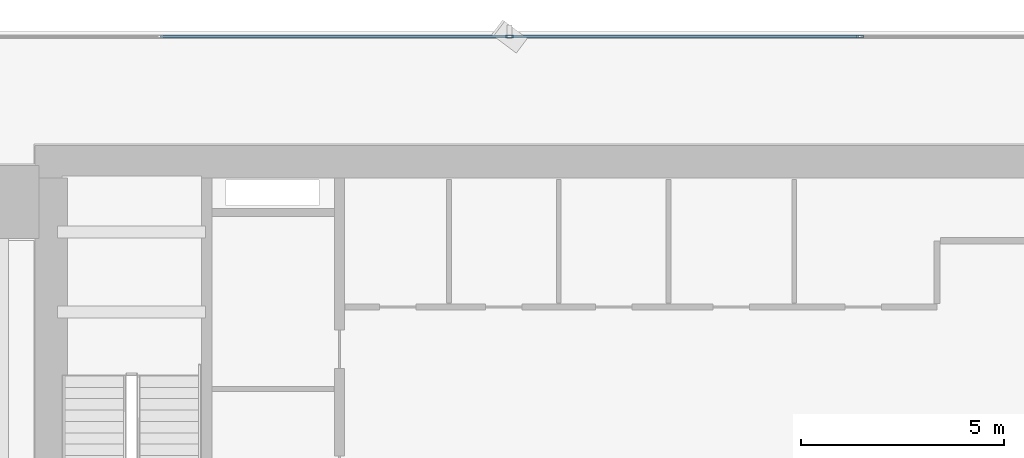
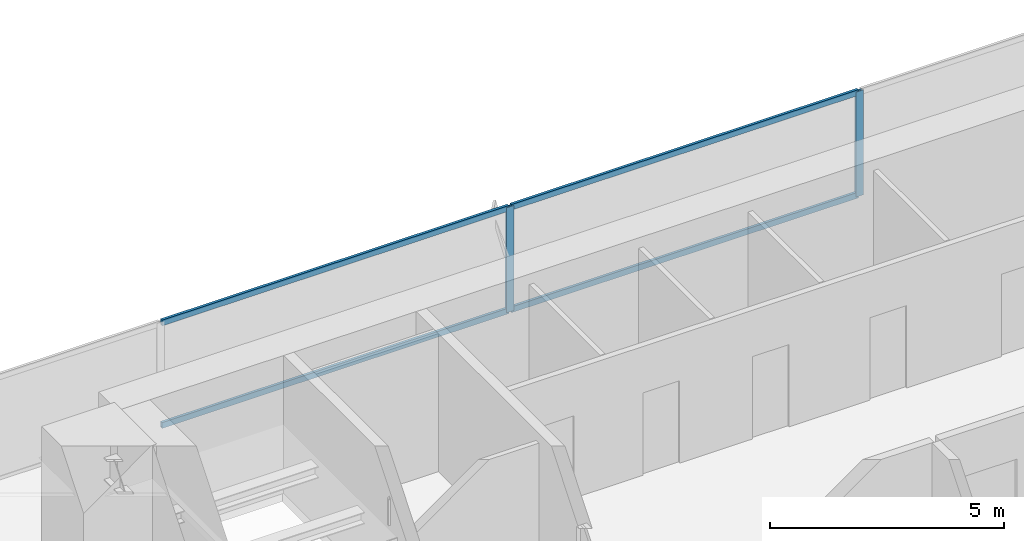
# One storey, part 19 of 33: 6 members, 1 element without a shape of its own.
"""IFC4 building model written with IfcOpenShell, lengths in metres."""

from ifc_helpers import new_model, si_unit, direction, frame, origin, origin_2d, place, context, subcontext, project, spatial, hollow_rectangle, extrude, source, transform, mapped, material, layer, layer_set, material_profile, profile_set, type_object, element, aggregate, save


model = new_model("IFC4")

# Units and contexts
model_context = context("Model", 3, precision=1e-05, world=origin(), true_north=direction((0.0, 1.0)))
body_context = subcontext(model_context, "Body", "Model", "MODEL_VIEW")
ifc_project = project(units=[si_unit("LENGTHUNIT", "METRE"), si_unit("AREAUNIT", "SQUARE_METRE"), si_unit("VOLUMEUNIT", "CUBIC_METRE"), si_unit("PLANEANGLEUNIT", "RADIAN"), si_unit("MASSUNIT", "GRAM", prefix="KILO")], contexts=[model_context])

# Site, building, storey
site_placement = place(None, origin())
site = spatial("IfcSite", under=ifc_project, at=site_placement, CompositionType="ELEMENT")
building_placement = place(site_placement, origin())
building = spatial("IfcBuilding", under=site, at=building_placement, Name="Sumidabori Civic Tower", CompositionType="ELEMENT")
storey_placement = place(building_placement, frame((0.0, 0.0, 59.60009765625)))
storey = spatial("IfcBuildingStorey", under=building, at=storey_placement, Name="L15", CompositionType="ELEMENT", Elevation=59.60009765625)

# Curtain wall, members
ifc_material = material(Name="Anodised Bronze Aluminium AW-6063-T6", Category="aluminium")
ifc_layer = layer(ifc_material, 0.179931640625, Name="Anodised Bronze Aluminium AW-6063-T6")
ifc_layer_set = layer_set([ifc_layer], Name="Anodised Bronze Aluminium AW-6063-T6")
curtain_wall_type = type_object("IfcCurtainWallType", Name="CW-SYS-2", PredefinedType="NOTDEFINED", material=ifc_layer_set)
curtain_wall_placement = place(storey_placement, origin())
curtain_wall = element("IfcCurtainWall", 1, at=curtain_wall_placement, inside=storey, type_object=curtain_wall_type, Name="Curtain Wall CW:L15:R07", PredefinedType="NOTDEFINED")
ifc_material_profile_1 = material_profile(ifc_material, hollow_rectangle(XDim=0.070068359375, YDim=0.179931640625, WallThickness=0.006103515625, at=origin_2d()), Name="ALU MULLION 180x70")
ifc_profile_set_1 = profile_set([ifc_material_profile_1], Name="Anodised Bronze Aluminium AW-6063-T6")
member_type_1 = type_object("IfcMemberType", Name="CW-MUL-180", PredefinedType="MULLION", material=ifc_profile_set_1)
shared_shape_1 = source(origin(), body_context, "Body", "SweptSolid", [
    extrude(hollow_rectangle(XDim=0.070068359375, YDim=0.179931640625, WallThickness=0.006103515625, at=origin_2d()), origin(), (0.0, 0.0, 1.0), 2.739990234375),
])
member_1_placement = place(storey_placement, frame((4.31396484375, 26.8798828125, 0.0), z_axis=(0.0, 0.0, 1.0), x_axis=(0.0, -1.0, 0.0)))
member_1 = element("IfcMember", 2, at=member_1_placement, type_object=member_type_1, Name="CW-2 mullion 3", PredefinedType="MULLION", context=body_context, shape_type="MappedRepresentation", body=[
    mapped(shared_shape_1, transform((0.0, 0.0, 0.0), x_axis=(1.0, 0.0, 0.0), y_axis=(0.0, 1.0, 0.0), z_axis=(0.0, 0.0, 1.0), scale=1.0)),
])
member_2_placement = place(storey_placement, frame((-4.31396484375, 26.8798828125, 0.0), z_axis=(0.0, 0.0, 1.0), x_axis=(0.0, -1.0, 0.0)))
member_2 = element("IfcMember", 3, at=member_2_placement, type_object=member_type_1, Name="CW-2 mullion 4", PredefinedType="MULLION", context=body_context, shape_type="MappedRepresentation", body=[
    mapped(shared_shape_1, transform((0.0, 0.0, 0.0), x_axis=(1.0, 0.0, 0.0), y_axis=(0.0, 1.0, 0.0), z_axis=(0.0, 0.0, 1.0), scale=1.0)),
])
ifc_material_profile_2 = material_profile(ifc_material, hollow_rectangle(XDim=0.06494140625, YDim=0.14990234375, WallThickness=0.0048828125, at=origin_2d()), Name="ALU TRANSOM 150x65")
ifc_profile_set_2 = profile_set([ifc_material_profile_2], Name="Anodised Bronze Aluminium AW-6063-T6")
member_type_2 = type_object("IfcMemberType", Name="CW-TRN-150", PredefinedType="USERDEFINED", material=ifc_profile_set_2)
shared_shape_2 = source(origin(), body_context, "Body", "SweptSolid", [
    extrude(hollow_rectangle(XDim=0.06494140625, YDim=0.14990234375, WallThickness=0.0048828125, at=origin_2d()), origin(), (0.0, 0.0, 1.0), 8.557861328125),
])
member_3_placement = place(storey_placement, frame((-4.34912109375, 26.8798828125, 0.032470703125), z_axis=(-1.0, 0.0, 0.0), x_axis=(0.0, -1.0, 0.0)))
member_3 = element("IfcMember", 4, at=member_3_placement, type_object=member_type_2, Name="CW-2 transom 4.1", ObjectType="TRANSOM", PredefinedType="USERDEFINED", context=body_context, shape_type="MappedRepresentation", body=[
    mapped(shared_shape_2, transform((0.0, 0.0, 0.0), x_axis=(1.0, 0.0, 0.0), y_axis=(0.0, 1.0, 0.0), z_axis=(0.0, 0.0, 1.0), scale=1.0)),
])
member_4_placement = place(storey_placement, frame((-4.34912109375, 26.8798828125, 2.70751953125), z_axis=(-1.0, 0.0, 0.0), x_axis=(0.0, -1.0, 0.0)))
member_4 = element("IfcMember", 5, at=member_4_placement, type_object=member_type_2, Name="CW-2 transom 4.2", ObjectType="TRANSOM", PredefinedType="USERDEFINED", context=body_context, shape_type="MappedRepresentation", body=[
    mapped(shared_shape_2, transform((0.0, 0.0, 0.0), x_axis=(1.0, 0.0, 0.0), y_axis=(0.0, 1.0, 0.0), z_axis=(0.0, 0.0, 1.0), scale=1.0)),
])
shared_shape_3 = source(origin(), body_context, "Body", "SweptSolid", [
    extrude(hollow_rectangle(XDim=0.06494140625, YDim=0.14990234375, WallThickness=0.0048828125, at=origin_2d()), origin(), (0.0, 0.0, 1.0), 8.55810546875),
])
member_5_placement = place(storey_placement, frame((4.279052734375, 26.8798828125, 0.032470703125), z_axis=(-1.0, 0.0, 0.0), x_axis=(0.0, -1.0, 0.0)))
member_5 = element("IfcMember", 6, at=member_5_placement, type_object=member_type_2, Name="CW-2 transom 3.1", ObjectType="TRANSOM", PredefinedType="USERDEFINED", context=body_context, shape_type="MappedRepresentation", body=[
    mapped(shared_shape_3, transform((0.0, 0.0, 0.0), x_axis=(1.0, 0.0, 0.0), y_axis=(0.0, 1.0, 0.0), z_axis=(0.0, 0.0, 1.0), scale=1.0)),
])
member_6_placement = place(storey_placement, frame((4.279052734375, 26.8798828125, 2.70751953125), z_axis=(-1.0, 0.0, 0.0), x_axis=(0.0, -1.0, 0.0)))
member_6 = element("IfcMember", 7, at=member_6_placement, type_object=member_type_2, Name="CW-2 transom 3.2", ObjectType="TRANSOM", PredefinedType="USERDEFINED", context=body_context, shape_type="MappedRepresentation", body=[
    mapped(shared_shape_3, transform((0.0, 0.0, 0.0), x_axis=(1.0, 0.0, 0.0), y_axis=(0.0, 1.0, 0.0), z_axis=(0.0, 0.0, 1.0), scale=1.0)),
])
aggregate(curtain_wall, [member_1, member_2, member_5, member_6, member_3, member_4])

save(model, "model.ifc")
